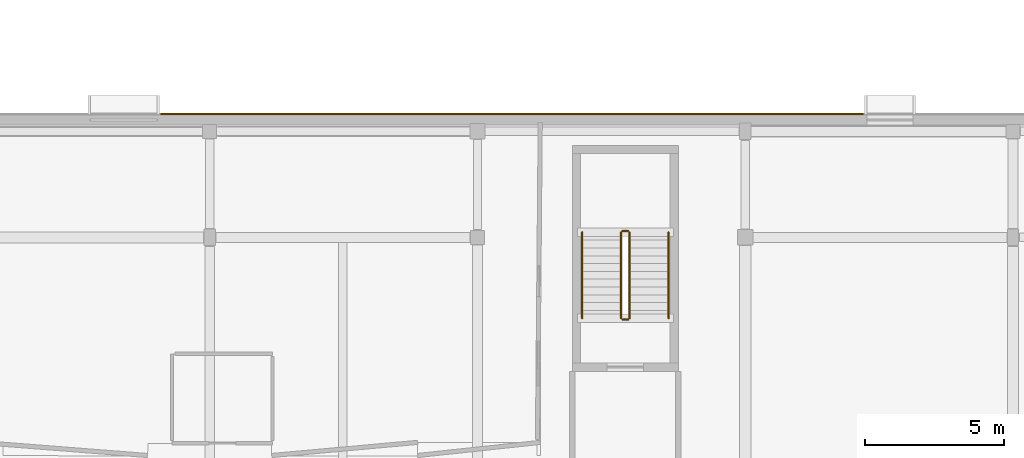
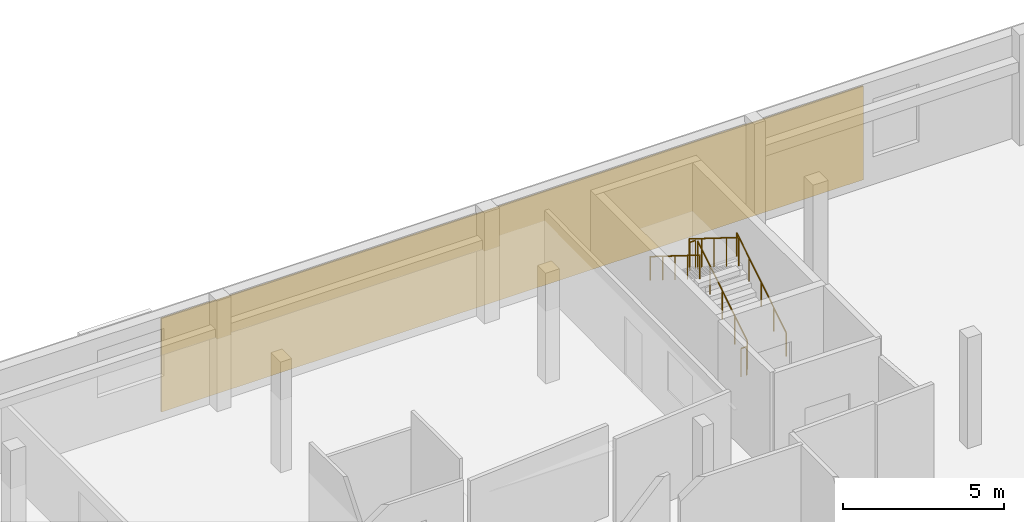
# One storey, part 80 of 84: 6 railings, 1 covering.
"""IFC4 building model written with IfcOpenShell, lengths in metres."""

from ifc_helpers import new_model, si_unit, direction, frame, origin, origin_2d, place, context, subcontext, project, spatial, rectangle, circle, extrude, material, layer, layer_set, type_object, element, save


model = new_model("IFC4")

# Units and contexts
model_context = context("Model", 3, precision=1e-05, world=origin(), true_north=direction((0.0, 1.0)))
body_context = subcontext(model_context, "Body", "Model", "MODEL_VIEW")
ifc_project = project(units=[si_unit("LENGTHUNIT", "METRE"), si_unit("AREAUNIT", "SQUARE_METRE"), si_unit("VOLUMEUNIT", "CUBIC_METRE"), si_unit("PLANEANGLEUNIT", "RADIAN"), si_unit("MASSUNIT", "GRAM", prefix="KILO")], contexts=[model_context])

# Site, building, storey
site_placement = place(None, origin())
site = spatial("IfcSite", under=ifc_project, at=site_placement, CompositionType="ELEMENT")
building_placement = place(site_placement, origin())
building = spatial("IfcBuilding", under=site, at=building_placement, Name="Mzevani Central Library", CompositionType="ELEMENT")
storey_placement = place(building_placement, frame((0.0, 0.0, 5.39990234375)))
storey = spatial("IfcBuildingStorey", under=building, at=storey_placement, Name="L01", CompositionType="ELEMENT", Elevation=5.39990234375)

# Railings
ifc_material_1 = material(Name="Brushed stainless steel rail", Category="steel")
railing_type_1 = type_object("IfcRailingType", Name="Interior Gallery and Stair Guard 1100", PredefinedType="BALUSTRADE", material=ifc_material_1)
railing_1_placement = place(storey_placement, frame((88.64990234375, 106.699951171875, 0.175048828125)))
element("IfcRailing", 1, at=railing_1_placement, inside=storey, type_object=railing_type_1, Name="L01 ST-06 stair guard 1", PredefinedType="BALUSTRADE", context=body_context, shape_type="SweptSolid", body=[
    extrude(circle(Radius=0.02392578125, at=origin_2d()), frame((0.0, 0.0, 1.076171875), z_axis=(0.0, 0.847998304005, 0.529998940003), x_axis=(-1.0, 0.0, 0.0)), (0.0, 0.0, 1.0), 3.632080078125),
    extrude(circle(Radius=0.02099609375, at=origin_2d()), origin(), (0.0, 0.0, 1.0), 1.052001953125),
    extrude(circle(Radius=0.02099609375, at=origin_2d()), frame((0.0, 0.77001953125, 0.481201171875)), (0.0, 0.0, 1.0), 1.052001953125),
    extrude(circle(Radius=0.02099609375, at=origin_2d()), frame((0.0, 1.5400390625, 0.96240234375)), (0.0, 0.0, 1.0), 1.052001953125),
    extrude(circle(Radius=0.02099609375, at=origin_2d()), frame((0.0, 2.31005859375, 1.44384765625)), (0.0, 0.0, 1.0), 1.052001953125),
    extrude(circle(Radius=0.02099609375, at=origin_2d()), frame((0.0, 3.080078125, 1.925048828125)), (0.0, 0.0, 1.0), 1.052001953125),
])
railing_2_placement = place(storey_placement, frame((88.60009765625, 109.830078125, 2.10009765625)))
element("IfcRailing", 2, at=railing_2_placement, inside=storey, type_object=railing_type_1, Name="L01 ST-06 stair guard 2", PredefinedType="BALUSTRADE", context=body_context, shape_type="SweptSolid", body=[
    extrude(circle(Radius=0.02392578125, at=origin_2d()), frame((0.0, 0.0, 1.076171875), z_axis=(-1.0, 0.0, 0.0), x_axis=(0.0, -1.0, 0.0)), (0.0, 0.0, 1.0), 0.2001953125),
    extrude(circle(Radius=0.02099609375, at=origin_2d()), origin(), (0.0, 0.0, 1.0), 1.052001953125),
    extrude(circle(Radius=0.02099609375, at=origin_2d()), frame((-0.2001953125, 0.0, 0.0)), (0.0, 0.0, 1.0), 1.052001953125),
])
railing_3_placement = place(storey_placement, frame((88.35009765625, 109.780029296875, 2.275146484375)))
element("IfcRailing", 3, at=railing_3_placement, inside=storey, type_object=railing_type_1, Name="L01 ST-06 stair guard 3", PredefinedType="BALUSTRADE", context=body_context, shape_type="SweptSolid", body=[
    extrude(circle(Radius=0.02392578125, at=origin_2d()), frame((0.0, 0.0, 1.076171875), z_axis=(0.0, -0.847998304005, 0.529998940003), x_axis=(1.0, 0.0, 0.0)), (0.0, 0.0, 1.0), 3.632080078125),
    extrude(circle(Radius=0.02099609375, at=origin_2d()), origin(), (0.0, 0.0, 1.0), 1.052001953125),
    extrude(circle(Radius=0.02099609375, at=origin_2d()), frame((0.0, -0.77001953125, 0.481201171875)), (0.0, 0.0, 1.0), 1.052001953125),
    extrude(circle(Radius=0.02099609375, at=origin_2d()), frame((0.0, -1.5400390625, 0.96240234375)), (0.0, 0.0, 1.0), 1.052001953125),
    extrude(circle(Radius=0.02099609375, at=origin_2d()), frame((0.0, -2.31005859375, 1.44384765625)), (0.0, 0.0, 1.0), 1.052001953125),
    extrude(circle(Radius=0.02099609375, at=origin_2d()), frame((0.0, -3.080078125, 1.925048828125)), (0.0, 0.0, 1.0), 1.052001953125),
])
railing_4_placement = place(storey_placement, frame((88.60009765625, 106.64990234375, 0.0)))
element("IfcRailing", 4, at=railing_4_placement, inside=storey, type_object=railing_type_1, Name="L01 ST-06 stair guard 4", PredefinedType="BALUSTRADE", context=body_context, shape_type="SweptSolid", body=[
    extrude(circle(Radius=0.02392578125, at=origin_2d()), frame((0.0, 0.0, 1.076171875), z_axis=(-1.0, 0.0, 0.0), x_axis=(0.0, -1.0, 0.0)), (0.0, 0.0, 1.0), 0.2001953125),
    extrude(circle(Radius=0.02099609375, at=origin_2d()), origin(), (0.0, 0.0, 1.0), 1.052001953125),
    extrude(circle(Radius=0.02099609375, at=origin_2d()), frame((-0.2001953125, 0.0, 0.0)), (0.0, 0.0, 1.0), 1.052001953125),
])

# Covering
ifc_material_2 = material(Name="Limestone ashlar cladding", Category="masonry")
ifc_layer = layer(ifc_material_2, 0.050048828125, Name="Limestone Ashlar Spandrel Cladding")
ifc_layer_set = layer_set([ifc_layer], Name="Limestone ashlar cladding")
covering_type = type_object("IfcCoveringType", Name="Limestone Ashlar Spandrel Cladding", PredefinedType="CLADDING", material=ifc_layer_set)
covering_placement = place(storey_placement, frame((84.4375, 114.02392578125, 0.0), z_axis=(0.0, 0.0, 1.0), x_axis=(1.0, 0.0, 0.0)))
element("IfcCovering", 5, at=covering_placement, inside=storey, type_object=covering_type, Name="L01 Warm-White Facade Pier 3 (EW4-V3-L01-0045)", PredefinedType="CLADDING", context=body_context, shape_type="SweptSolid", body=[
    extrude(rectangle(XDim=25.197509765625, YDim=0.050048828125, at=origin_2d()), origin(), (0.0, 0.0, 1.0), 3.550048828125),
])

# Railings
railing_type_2 = type_object("IfcRailingType", Name="Stair Wall Handrail 920", PredefinedType="HANDRAIL", material=ifc_material_1)
railing_5_placement = place(storey_placement, frame((90.050048828125, 106.699951171875, 0.175048828125)))
element("IfcRailing", 6, at=railing_5_placement, inside=storey, type_object=railing_type_2, Name="L01 ST-06 stair handrail 1", PredefinedType="HANDRAIL", context=body_context, shape_type="SweptSolid", body=[
    extrude(circle(Radius=0.02392578125, at=origin_2d()), frame((0.0, 0.0, 0.89599609375), z_axis=(0.0, 0.847998304005, 0.529998940003), x_axis=(-1.0, 0.0, 0.0)), (0.0, 0.0, 1.0), 3.632080078125),
    extrude(circle(Radius=0.02099609375, at=origin_2d()), origin(), (0.0, 0.0, 1.0), 0.871826171875),
    extrude(circle(Radius=0.02099609375, at=origin_2d()), frame((0.0, 0.77001953125, 0.481201171875)), (0.0, 0.0, 1.0), 0.871826171875),
    extrude(circle(Radius=0.02099609375, at=origin_2d()), frame((0.0, 1.5400390625, 0.96240234375)), (0.0, 0.0, 1.0), 0.871826171875),
    extrude(circle(Radius=0.02099609375, at=origin_2d()), frame((0.0, 2.31005859375, 1.44384765625)), (0.0, 0.0, 1.0), 0.871826171875),
    extrude(circle(Radius=0.02099609375, at=origin_2d()), frame((0.0, 3.080078125, 1.925048828125)), (0.0, 0.0, 1.0), 0.871826171875),
])
railing_6_placement = place(storey_placement, frame((86.949951171875, 109.780029296875, 2.275146484375)))
element("IfcRailing", 7, at=railing_6_placement, inside=storey, type_object=railing_type_2, Name="L01 ST-06 stair handrail 2", PredefinedType="HANDRAIL", context=body_context, shape_type="SweptSolid", body=[
    extrude(circle(Radius=0.02392578125, at=origin_2d()), frame((0.0, 0.0, 0.89599609375), z_axis=(0.0, -0.847998304005, 0.529998940003), x_axis=(1.0, 0.0, 0.0)), (0.0, 0.0, 1.0), 3.632080078125),
    extrude(circle(Radius=0.02099609375, at=origin_2d()), origin(), (0.0, 0.0, 1.0), 0.871826171875),
    extrude(circle(Radius=0.02099609375, at=origin_2d()), frame((0.0, -0.77001953125, 0.481201171875)), (0.0, 0.0, 1.0), 0.871826171875),
    extrude(circle(Radius=0.02099609375, at=origin_2d()), frame((0.0, -1.5400390625, 0.96240234375)), (0.0, 0.0, 1.0), 0.871826171875),
    extrude(circle(Radius=0.02099609375, at=origin_2d()), frame((0.0, -2.31005859375, 1.44384765625)), (0.0, 0.0, 1.0), 0.871826171875),
    extrude(circle(Radius=0.02099609375, at=origin_2d()), frame((0.0, -3.080078125, 1.925048828125)), (0.0, 0.0, 1.0), 0.871826171875),
])

save(model, "model.ifc")
